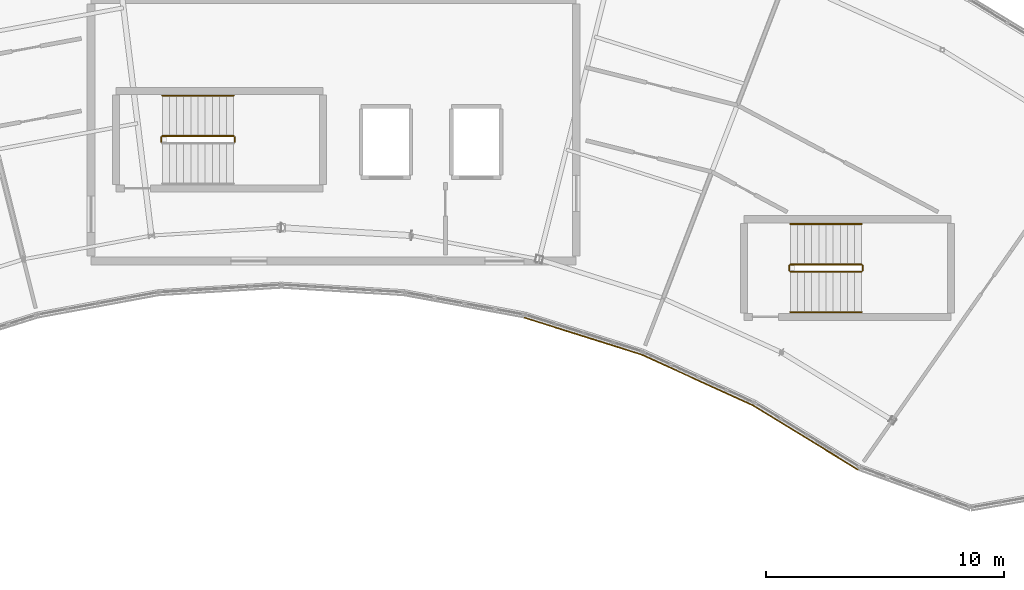
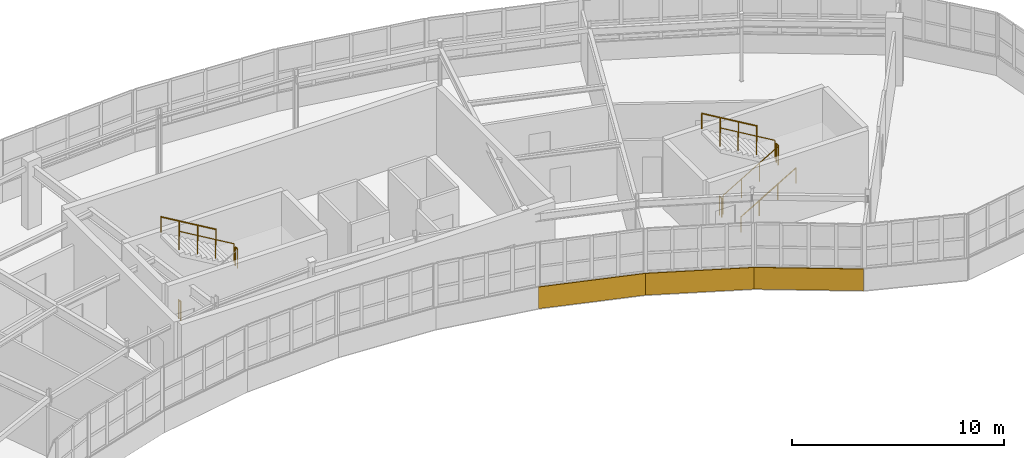
# One storey, part 59 of 60: 10 railings, 3 coverings.
"""IFC4 building model written with IfcOpenShell, lengths in metres."""

from ifc_helpers import new_model, si_unit, direction, frame, origin, origin_2d, place, context, subcontext, project, spatial, rectangle, circle, extrude, material, layer, layer_set, type_object, element, save


model = new_model("IFC4")

# Units and contexts
model_context = context("Model", 3, precision=1e-05, world=origin(), true_north=direction((0.0, 1.0)))
body_context = subcontext(model_context, "Body", "Model", "MODEL_VIEW")
ifc_project = project(units=[si_unit("LENGTHUNIT", "METRE"), si_unit("AREAUNIT", "SQUARE_METRE"), si_unit("VOLUMEUNIT", "CUBIC_METRE"), si_unit("PLANEANGLEUNIT", "RADIAN"), si_unit("MASSUNIT", "GRAM", prefix="KILO")], contexts=[model_context])

# Site, building, storey
site_placement = place(None, origin())
site = spatial("IfcSite", under=ifc_project, at=site_placement, CompositionType="ELEMENT")
building_placement = place(site_placement, origin())
building = spatial("IfcBuilding", under=site, at=building_placement, Name="Tarnwether General Hospital", CompositionType="ELEMENT")
storey_placement = place(building_placement, frame((0.0, 0.0, 26.10009765625)))
storey = spatial("IfcBuildingStorey", under=building, at=storey_placement, Name="L06", CompositionType="ELEMENT", Elevation=26.10009765625)

# Coverings
ifc_material_1 = material(Name="Streamlined white enamelled aluminium", Category="aluminium")
ifc_layer = layer(ifc_material_1, 0.044921875)
ifc_layer_set = layer_set([ifc_layer], Name="Streamlined white enamelled aluminium")
covering_type = type_object("IfcCoveringType", Name="CV-CLD-WHT", PredefinedType="CLADDING", material=ifc_layer_set)
covering_placement = place(storey_placement, frame((104.68603515625, 103.237060546875, -0.175048828125), z_axis=(0.0, 0.0, 1.0), x_axis=(-0.953711702297, 0.300722444959, 0.0)))
element("IfcCovering", 1, at=covering_placement, inside=storey, type_object=covering_type, Name="Streamlined White Horizontal Band NW L06 13", PredefinedType="CLADDING", context=body_context, shape_type="SweptSolid", body=[
    extrude(rectangle(XDim=5.177978515625, YDim=0.044921875, at=origin_2d()), origin(), (0.0, 0.0, 1.0), 1.25),
])
for number, where, z_axis, x_axis, name in (
    (2, (109.49609375, 101.389892578125, -0.175048828125), (0.0, 0.0, 1.0), (-0.909954032975, 0.414709124413, 0.0), "Streamlined White Horizontal Band NW L06 14"),
    (3, (114.0439453125, 98.971923828125, -0.175048828125), (0.0, 0.0, 1.0), (-0.852631044904, 0.522513446015, 0.0), "Streamlined White Horizontal Band NW L06 15"),
):
    element("IfcCovering", number, at=place(storey_placement, frame(where, z_axis=z_axis, x_axis=x_axis)), inside=storey, type_object=covering_type, Name=name, PredefinedType="CLADDING", context=body_context, shape_type="SweptSolid", body=[
        extrude(rectangle(XDim=5.177001953125, YDim=0.044921875, at=origin_2d()), origin(), (0.0, 0.0, 1.0), 1.25),
    ])

# Railings
ifc_material_2 = material(Name="Anodised aluminium", Category="aluminium")
railing_type_1 = type_object("IfcRailingType", Name="RL-GRD-INT", PredefinedType="GUARDRAIL", material=ifc_material_2)
railing_1_placement = place(storey_placement, frame((90.050048828125, 111.39990234375, 1.949951171875)))
element("IfcRailing", 4, at=railing_1_placement, inside=storey, type_object=railing_type_1, Name="L06 ST-01 stair guard 2", PredefinedType="GUARDRAIL", context=body_context, shape_type="SweptSolid", body=[
    extrude(circle(Radius=0.02392578125, at=origin_2d()), frame((0.0, 0.0, 1.076171875), z_axis=(0.0, 1.0, 0.0), x_axis=(-1.0, 0.0, 0.0)), (0.0, 0.0, 1.0), 0.2001953125),
    extrude(circle(Radius=0.02099609375, at=origin_2d()), origin(), (0.0, 0.0, 1.0), 1.052001953125),
    extrude(circle(Radius=0.02099609375, at=origin_2d()), frame((0.0, 0.2001953125, 0.0)), (0.0, 0.0, 1.0), 1.052001953125),
])
railing_2_placement = place(storey_placement, frame((90.0, 111.64990234375, 2.127197265625)))
element("IfcRailing", 5, at=railing_2_placement, inside=storey, type_object=railing_type_1, Name="L06 ST-01 stair guard 3", PredefinedType="GUARDRAIL", context=body_context, shape_type="SweptSolid", body=[
    extrude(circle(Radius=0.02392578125, at=origin_2d()), frame((0.0, 0.0, 1.076171875), z_axis=(-0.86092931783, 0.0, 0.508724591208), x_axis=(0.0, -1.0, 0.0)), (0.0, 0.0, 1.0), 3.484619140625),
    extrude(circle(Radius=0.02099609375, at=origin_2d()), origin(), (0.0, 0.0, 1.0), 1.052001953125),
    extrude(circle(Radius=0.02099609375, at=origin_2d()), frame((-1.0, 0.0, 0.5908203125)), (0.0, 0.0, 1.0), 1.052001953125),
    extrude(circle(Radius=0.02099609375, at=origin_2d()), frame((-2.0, 0.0, 1.181884765625)), (0.0, 0.0, 1.0), 1.052001953125),
    extrude(circle(Radius=0.02099609375, at=origin_2d()), frame((-3.0, 0.0, 1.772705078125)), (0.0, 0.0, 1.0), 1.052001953125),
])
railing_3_placement = place(storey_placement, frame((86.949951171875, 111.39990234375, 0.0)))
element("IfcRailing", 6, at=railing_3_placement, inside=storey, type_object=railing_type_1, Name="L06 ST-01 stair guard 4", PredefinedType="GUARDRAIL", context=body_context, shape_type="SweptSolid", body=[
    extrude(circle(Radius=0.02392578125, at=origin_2d()), frame((0.0, 0.0, 1.076171875), z_axis=(0.0, 1.0, 0.0), x_axis=(-1.0, 0.0, 0.0)), (0.0, 0.0, 1.0), 0.2001953125),
    extrude(circle(Radius=0.02099609375, at=origin_2d()), origin(), (0.0, 0.0, 1.0), 1.052001953125),
    extrude(circle(Radius=0.02099609375, at=origin_2d()), frame((0.0, 0.2001953125, 0.0)), (0.0, 0.0, 1.0), 1.052001953125),
])
railing_4_placement = place(storey_placement, frame((113.39990234375, 105.949951171875, 0.17724609375)))
element("IfcRailing", 7, at=railing_4_placement, inside=storey, type_object=railing_type_1, Name="L06 ST-08 stair guard 1", PredefinedType="GUARDRAIL", context=body_context, shape_type="SweptSolid", body=[
    extrude(circle(Radius=0.02392578125, at=origin_2d()), frame((0.0, 0.0, 1.076171875), z_axis=(0.86092931783, 0.0, 0.508724591208), x_axis=(0.0, 1.0, 0.0)), (0.0, 0.0, 1.0), 3.484619140625),
    extrude(circle(Radius=0.02099609375, at=origin_2d()), origin(), (0.0, 0.0, 1.0), 1.052001953125),
    extrude(circle(Radius=0.02099609375, at=origin_2d()), frame((1.0, 0.0, 0.5908203125)), (0.0, 0.0, 1.0), 1.052001953125),
    extrude(circle(Radius=0.02099609375, at=origin_2d()), frame((2.0, 0.0, 1.181884765625)), (0.0, 0.0, 1.0), 1.052001953125),
    extrude(circle(Radius=0.02099609375, at=origin_2d()), frame((3.0, 0.0, 1.772705078125)), (0.0, 0.0, 1.0), 1.052001953125),
])
railing_5_placement = place(storey_placement, frame((116.449951171875, 106.0, 1.949951171875)))
element("IfcRailing", 8, at=railing_5_placement, inside=storey, type_object=railing_type_1, Name="L06 ST-08 stair guard 2", PredefinedType="GUARDRAIL", context=body_context, shape_type="SweptSolid", body=[
    extrude(circle(Radius=0.02392578125, at=origin_2d()), frame((0.0, 0.0, 1.076171875), z_axis=(0.0, 1.0, 0.0), x_axis=(-1.0, 0.0, 0.0)), (0.0, 0.0, 1.0), 0.199951171875),
    extrude(circle(Radius=0.02099609375, at=origin_2d()), origin(), (0.0, 0.0, 1.0), 1.052001953125),
    extrude(circle(Radius=0.02099609375, at=origin_2d()), frame((0.0, 0.199951171875, 0.0)), (0.0, 0.0, 1.0), 1.052001953125),
])
railing_6_placement = place(storey_placement, frame((116.39990234375, 106.25, 2.127197265625)))
element("IfcRailing", 9, at=railing_6_placement, inside=storey, type_object=railing_type_1, Name="L06 ST-08 stair guard 3", PredefinedType="GUARDRAIL", context=body_context, shape_type="SweptSolid", body=[
    extrude(circle(Radius=0.02392578125, at=origin_2d()), frame((0.0, 0.0, 1.076171875), z_axis=(-0.86092931783, 0.0, 0.508724591208), x_axis=(0.0, -1.0, 0.0)), (0.0, 0.0, 1.0), 3.484619140625),
    extrude(circle(Radius=0.02099609375, at=origin_2d()), origin(), (0.0, 0.0, 1.0), 1.052001953125),
    extrude(circle(Radius=0.02099609375, at=origin_2d()), frame((-1.0, 0.0, 0.5908203125)), (0.0, 0.0, 1.0), 1.052001953125),
    extrude(circle(Radius=0.02099609375, at=origin_2d()), frame((-2.0, 0.0, 1.181884765625)), (0.0, 0.0, 1.0), 1.052001953125),
    extrude(circle(Radius=0.02099609375, at=origin_2d()), frame((-3.0, 0.0, 1.772705078125)), (0.0, 0.0, 1.0), 1.052001953125),
])
railing_7_placement = place(storey_placement, frame((113.35009765625, 106.0, 0.0)))
element("IfcRailing", 10, at=railing_7_placement, inside=storey, type_object=railing_type_1, Name="L06 ST-08 stair guard 4", PredefinedType="GUARDRAIL", context=body_context, shape_type="SweptSolid", body=[
    extrude(circle(Radius=0.02392578125, at=origin_2d()), frame((0.0, 0.0, 1.076171875), z_axis=(0.0, 1.0, 0.0), x_axis=(-1.0, 0.0, 0.0)), (0.0, 0.0, 1.0), 0.199951171875),
    extrude(circle(Radius=0.02099609375, at=origin_2d()), origin(), (0.0, 0.0, 1.0), 1.052001953125),
    extrude(circle(Radius=0.02099609375, at=origin_2d()), frame((0.0, 0.199951171875, 0.0)), (0.0, 0.0, 1.0), 1.052001953125),
])
ifc_material_3 = material(Name="Anodised aluminium", Category="aluminium")
railing_type_2 = type_object("IfcRailingType", Name="RL-HND-INT", PredefinedType="HANDRAIL", material=ifc_material_3)
railing_8_placement = place(storey_placement, frame((90.0, 113.35009765625, 2.127197265625)))
element("IfcRailing", 11, at=railing_8_placement, inside=storey, type_object=railing_type_2, Name="L06 ST-01 stair handrail 2", PredefinedType="HANDRAIL", context=body_context, shape_type="SweptSolid", body=[
    extrude(circle(Radius=0.02392578125, at=origin_2d()), frame((0.0, 0.0, 0.8759765625), z_axis=(-0.86092931783, 0.0, 0.508724591208), x_axis=(0.0, -1.0, 0.0)), (0.0, 0.0, 1.0), 3.484619140625),
    extrude(circle(Radius=0.02099609375, at=origin_2d()), origin(), (0.0, 0.0, 1.0), 0.851806640625),
    extrude(circle(Radius=0.02099609375, at=origin_2d()), frame((-1.0, 0.0, 0.5908203125)), (0.0, 0.0, 1.0), 0.851806640625),
    extrude(circle(Radius=0.02099609375, at=origin_2d()), frame((-2.0, 0.0, 1.181884765625)), (0.0, 0.0, 1.0), 0.851806640625),
    extrude(circle(Radius=0.02099609375, at=origin_2d()), frame((-3.0, 0.0, 1.772705078125)), (0.0, 0.0, 1.0), 0.851806640625),
])
railing_9_placement = place(storey_placement, frame((113.39990234375, 104.25, 0.17724609375)))
element("IfcRailing", 12, at=railing_9_placement, inside=storey, type_object=railing_type_2, Name="L06 ST-08 stair handrail 1", PredefinedType="HANDRAIL", context=body_context, shape_type="SweptSolid", body=[
    extrude(circle(Radius=0.02392578125, at=origin_2d()), frame((0.0, 0.0, 0.8759765625), z_axis=(0.86092931783, 0.0, 0.508724591208), x_axis=(0.0, 1.0, 0.0)), (0.0, 0.0, 1.0), 3.484619140625),
    extrude(circle(Radius=0.02099609375, at=origin_2d()), origin(), (0.0, 0.0, 1.0), 0.851806640625),
    extrude(circle(Radius=0.02099609375, at=origin_2d()), frame((1.0, 0.0, 0.5908203125)), (0.0, 0.0, 1.0), 0.851806640625),
    extrude(circle(Radius=0.02099609375, at=origin_2d()), frame((2.0, 0.0, 1.181884765625)), (0.0, 0.0, 1.0), 0.851806640625),
    extrude(circle(Radius=0.02099609375, at=origin_2d()), frame((3.0, 0.0, 1.772705078125)), (0.0, 0.0, 1.0), 0.851806640625),
])
railing_10_placement = place(storey_placement, frame((116.39990234375, 107.949951171875, 2.127197265625)))
element("IfcRailing", 13, at=railing_10_placement, inside=storey, type_object=railing_type_2, Name="L06 ST-08 stair handrail 2", PredefinedType="HANDRAIL", context=body_context, shape_type="SweptSolid", body=[
    extrude(circle(Radius=0.02392578125, at=origin_2d()), frame((0.0, 0.0, 0.8759765625), z_axis=(-0.86092931783, 0.0, 0.508724591208), x_axis=(0.0, -1.0, 0.0)), (0.0, 0.0, 1.0), 3.484619140625),
    extrude(circle(Radius=0.02099609375, at=origin_2d()), origin(), (0.0, 0.0, 1.0), 0.851806640625),
    extrude(circle(Radius=0.02099609375, at=origin_2d()), frame((-1.0, 0.0, 0.5908203125)), (0.0, 0.0, 1.0), 0.851806640625),
    extrude(circle(Radius=0.02099609375, at=origin_2d()), frame((-2.0, 0.0, 1.181884765625)), (0.0, 0.0, 1.0), 0.851806640625),
    extrude(circle(Radius=0.02099609375, at=origin_2d()), frame((-3.0, 0.0, 1.772705078125)), (0.0, 0.0, 1.0), 0.851806640625),
])

save(model, "model.ifc")
